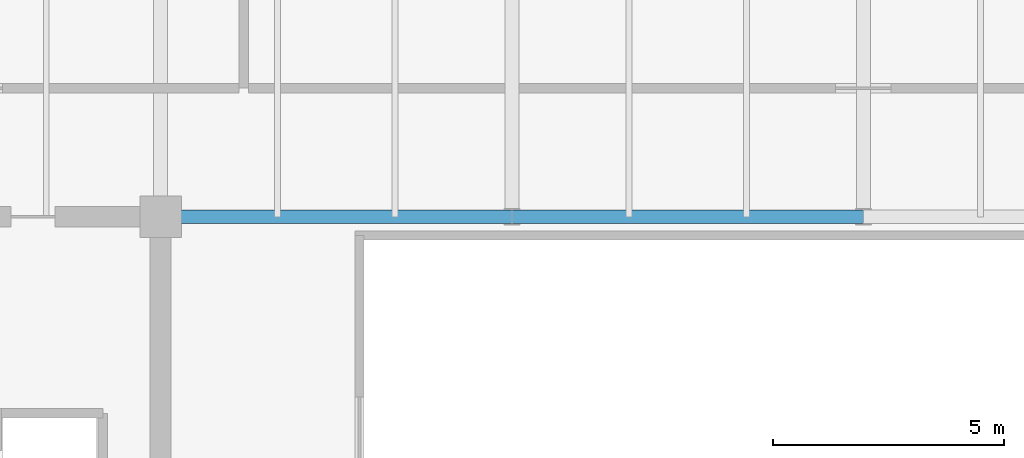
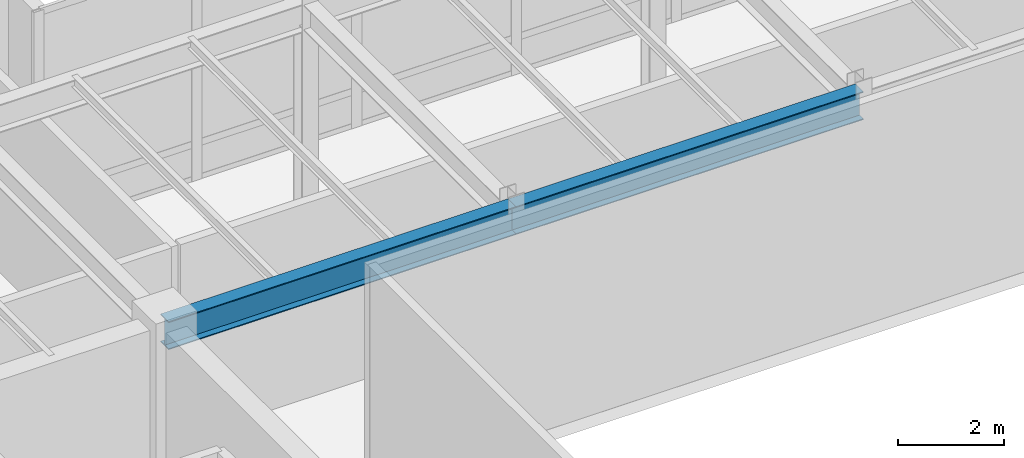
# One storey, part 12 of 30: 2 beams.
"""IFC4 building model written with IfcOpenShell, lengths in metres."""

import ifcopenshell
import ifcopenshell.guid

model = None  # the IFC model being written
_history = None  # IfcOwnerHistory: only IFC2X3 demands one
_inside = {}  # id of a spatial element -> (the spatial element, [elements in it])
_under = {}  # id of a project, library or spatial element -> (it, [spatial elements below it])
_declared = {}  # id of a project -> (the project, [libraries it declares])
_typed = {}  # id of a type object -> (the type object, [elements of that type])
_made_of = {}  # id of a material, layer set ... -> (it, [elements and type objects made of it])


def new_model(schema):
    """Start an empty IFC model of exactly this schema.

    Asked for "IFC4X3", IfcOpenShell would pick the latest addendum, in which some entities
    have other attributes; the version numbers below select the first issue.
    IFC2X3 requires an IfcOwnerHistory on every rooted entity: one is made here for all.
    """
    global model, _history
    if schema == "IFC4X3":
        model = ifcopenshell.file(schema_version=(4, 3, 0, 0))
    else:
        model = ifcopenshell.file(schema=schema)
    _inside.clear()
    _under.clear()
    _declared.clear()
    _typed.clear()
    _made_of.clear()
    _history = None
    if model.schema == "IFC2X3":
        org = make("IfcOrganization", Name="unknown")
        user = make(
            "IfcPersonAndOrganization",
            ThePerson=make("IfcPerson", FamilyName="unknown"),
            TheOrganization=org,
        )
        app = make(
            "IfcApplication",
            ApplicationDeveloper=org,
            Version="unknown",
            ApplicationFullName="unknown",
            ApplicationIdentifier="unknown",
        )
        _history = make(
            "IfcOwnerHistory",
            OwningUser=user,
            OwningApplication=app,
            ChangeAction="ADDED",
            CreationDate=0,
        )
    return model


def make(cls, **values):
    """One entity of the class cls with the attributes given. An attribute that is None is left unset."""
    return model.create_entity(
        cls, **{name: value for name, value in values.items() if value is not None}
    )


def rooted(cls, **values):
    """An entity with a GlobalId (a new one), such as an element, a storey or a relation."""
    return make(cls, GlobalId=ifcopenshell.guid.new(), OwnerHistory=_history, **values)


def si_unit(unit_type, name, prefix=None):
    """IfcSIUnit, for example si_unit("LENGTHUNIT", "METRE", prefix="MILLI")."""
    return make("IfcSIUnit", UnitType=unit_type, Prefix=prefix, Name=name)


def assignment(units):
    """IfcUnitAssignment: the units of a project."""
    return None if units is None else make("IfcUnitAssignment", Units=units)


def point(xyz):
    """IfcCartesianPoint."""
    return None if xyz is None else make("IfcCartesianPoint", Coordinates=xyz)


def direction(xyz):
    """IfcDirection."""
    return None if xyz is None else make("IfcDirection", DirectionRatios=xyz)


def frame(location, z_axis=None, x_axis=None):
    """IfcAxis2Placement3D, a coordinate frame: its origin and axes. An axis left out is left unset."""
    return make(
        "IfcAxis2Placement3D",
        Location=point(location),
        Axis=direction(z_axis),
        RefDirection=direction(x_axis),
    )


def frame_2d(location, x_axis=None):
    """IfcAxis2Placement2D, a coordinate frame in the plane: its origin and x axis."""
    return make(
        "IfcAxis2Placement2D", Location=point(location), RefDirection=direction(x_axis)
    )


def origin():
    """The frame at (0, 0, 0) with its axes left unset."""
    return frame((0.0, 0.0, 0.0))


def origin_2d():
    """The frame at (0, 0) in the plane with its x axis left unset."""
    return frame_2d((0.0, 0.0))


def place(relative_to, where):
    """IfcLocalPlacement: puts the frame where relative to a parent placement (None: the world)."""
    return make(
        "IfcLocalPlacement", PlacementRelTo=relative_to, RelativePlacement=where
    )


def context(
    kind, dimensions, precision=None, world=None, true_north=None, identifier=None
):
    """IfcGeometricRepresentationContext, for example the 3D "Model" context."""
    return make(
        "IfcGeometricRepresentationContext",
        ContextIdentifier=identifier,
        ContextType=kind,
        CoordinateSpaceDimension=dimensions,
        Precision=precision,
        WorldCoordinateSystem=world,
        TrueNorth=true_north,
    )


def subcontext(parent, identifier, kind, view, scale=None):
    """IfcGeometricRepresentationSubContext, for example "Body" below "Model"."""
    return make(
        "IfcGeometricRepresentationSubContext",
        ContextIdentifier=identifier,
        ContextType=kind,
        ParentContext=parent,
        TargetScale=scale,
        TargetView=view,
    )


def project(units=None, contexts=None):
    """IfcProject with its units and contexts."""
    return rooted(
        "IfcProject",
        Name="project",
        RepresentationContexts=contexts,
        UnitsInContext=assignment(units),
    )


def spatial(cls, under=None, at=None, **own):
    """A site, building, storey or space (cls), placed at a placement, below another one or the project."""
    s = rooted(cls, ObjectPlacement=at, **own)
    if under is not None:
        _under.setdefault(under.id(), (under, []))[1].append(s)
    return s


def profile(cls, at=None, kind="AREA", **sizes):
    """A parametric profile (cls). Its sizes go by their IFC names, for example OverallWidth=200.0."""
    return make(cls, ProfileType=kind, Position=at, **sizes)


def i_section(**sizes):
    """IfcIShapeProfileDef."""
    return profile("IfcIShapeProfileDef", **sizes)


def extrude(swept, where, along, depth):
    """IfcExtrudedAreaSolid: the profile swept, set in the frame where, extruded along a direction by depth."""
    return make(
        "IfcExtrudedAreaSolid",
        SweptArea=swept,
        Position=where,
        ExtrudedDirection=direction(along),
        Depth=depth,
    )


def shape(context_of_items, identifier, shape_type, items):
    """IfcShapeRepresentation: the items that make up one representation, for example the "Body"."""
    return make(
        "IfcShapeRepresentation",
        ContextOfItems=context_of_items,
        RepresentationIdentifier=identifier,
        RepresentationType=shape_type,
        Items=items,
    )


def source(mapping_origin, context_of_items, identifier, shape_type, items):
    """IfcRepresentationMap: a shape defined once, which mapped items show again and again."""
    return make(
        "IfcRepresentationMap",
        MappingOrigin=mapping_origin,
        MappedRepresentation=shape(context_of_items, identifier, shape_type, items),
    )


def transform(
    local_origin,
    x_axis=None,
    y_axis=None,
    z_axis=None,
    scale=None,
    scale2=None,
    scale3=None,
    uniform=True,
):
    """IfcCartesianTransformationOperator3D, or its non-uniform kind. x_axis, y_axis, z_axis: its Axis1, 2, 3."""
    if uniform:
        return make(
            "IfcCartesianTransformationOperator3D",
            Axis1=direction(x_axis),
            Axis2=direction(y_axis),
            LocalOrigin=point(local_origin),
            Scale=scale,
            Axis3=direction(z_axis),
        )
    return make(
        "IfcCartesianTransformationOperator3DnonUniform",
        Axis1=direction(x_axis),
        Axis2=direction(y_axis),
        LocalOrigin=point(local_origin),
        Scale=scale,
        Axis3=direction(z_axis),
        Scale2=scale2,
        Scale3=scale3,
    )


def mapped(mapping_source, mapping_target):
    """IfcMappedItem: shows the shape of a source again, moved by a transform."""
    return make(
        "IfcMappedItem", MappingSource=mapping_source, MappingTarget=mapping_target
    )


def material(Name=None, Category=None):
    """IfcMaterial."""
    return make("IfcMaterial", Name=Name, Category=Category)


def material_profile(
    of_material, cross_section, Name=None, Category=None, Priority=None
):
    """IfcMaterialProfile: a cross section and its material."""
    return make(
        "IfcMaterialProfile",
        Name=Name,
        Material=of_material,
        Profile=cross_section,
        Priority=Priority,
        Category=Category,
    )


def profile_set(profiles, Name=None, composite=None):
    """IfcMaterialProfileSet."""
    return make(
        "IfcMaterialProfileSet",
        Name=Name,
        MaterialProfiles=profiles,
        CompositeProfile=composite,
    )


def made_of(thing, what):
    """Note that an element or type object is made of a material, layer set ...; save() writes the relation."""
    if what is not None:
        _made_of.setdefault(what.id(), (what, []))[1].append(thing)
    return thing


def type_object(cls, material=None, **own):
    """A type object (cls), such as IfcWallType, which elements share."""
    return made_of(rooted(cls, **own), material)


def type_shapes(of_type, sources):
    """Give a type object the sources (RepresentationMaps) that its elements show as mapped items."""
    of_type.RepresentationMaps = sources


def element(
    cls,
    number,
    at=None,
    inside=None,
    cuts=None,
    type_object=None,
    material=None,
    context=None,
    identifier="Body",
    shape_type=None,
    held_by="IfcProductDefinitionShape",
    body=None,
    shapes=None,
    **own,
):
    """One element of the class cls, such as IfcWall. Its Tag is "e" and its number.

    at: its placement. inside: the storey or other place that contains it. cuts: it is an
    opening in that element (IfcRelVoidsElement). A single representation is given by context,
    identifier, shape_type and body (its items); several are given by shapes. held_by: the class
    of the entity that holds the representations. save() writes the other relations.
    """
    e = rooted(cls, Tag="e%d" % number, ObjectPlacement=at, **own)
    if body is not None:
        shapes = [shape(context, identifier, shape_type, body)]
    if shapes is not None:
        e.Representation = make(held_by, Representations=shapes)
    if inside is not None:
        _inside.setdefault(inside.id(), (inside, []))[1].append(e)
    if cuts is not None:
        rooted(
            "IfcRelVoidsElement", RelatingBuildingElement=cuts, RelatedOpeningElement=e
        )
    if type_object is not None:
        _typed.setdefault(type_object.id(), (type_object, []))[1].append(e)
    return made_of(e, material)


def aggregate(whole, parts):
    """IfcRelAggregates: a whole, such as a stair, and the parts it consists of."""
    return rooted("IfcRelAggregates", RelatingObject=whole, RelatedObjects=parts)


def save(model, path):
    """Write the relations noted so far, then the file.

    IfcRelAggregates (storeys below a building ...), IfcRelContainedInSpatialStructure (elements
    in a storey), IfcRelDefinesByType, IfcRelAssociatesMaterial and IfcRelDeclares: one each for
    every whole, place, type object, material and project.
    """
    for whole, parts in _under.values():
        aggregate(whole, parts)
    for where, things in _inside.values():
        rooted(
            "IfcRelContainedInSpatialStructure",
            RelatedElements=things,
            RelatingStructure=where,
        )
    for kind, things in _typed.values():
        rooted("IfcRelDefinesByType", RelatedObjects=things, RelatingType=kind)
    for what, things in _made_of.values():
        rooted("IfcRelAssociatesMaterial", RelatedObjects=things, RelatingMaterial=what)
    for by, libraries in _declared.values():
        rooted("IfcRelDeclares", RelatingContext=by, RelatedDefinitions=libraries)
    model.write(path)


model = new_model("IFC4")

# Units and contexts
model_context = context("Model", 3, precision=1e-05, world=origin(), true_north=direction((0.0, 1.0)))
body_context = subcontext(model_context, "Body", "Model", "MODEL_VIEW")
ifc_project = project(units=[si_unit("LENGTHUNIT", "METRE"), si_unit("AREAUNIT", "SQUARE_METRE"), si_unit("VOLUMEUNIT", "CUBIC_METRE"), si_unit("PLANEANGLEUNIT", "RADIAN"), si_unit("MASSUNIT", "GRAM", prefix="KILO")], contexts=[model_context])

# Site, building, storey
site_placement = place(None, origin())
site = spatial("IfcSite", under=ifc_project, at=site_placement, CompositionType="ELEMENT")
building_placement = place(site_placement, origin())
building = spatial("IfcBuilding", under=site, at=building_placement, Name="Haelvirn Gate Laboratories", CompositionType="ELEMENT")
storey_placement = place(building_placement, frame((0.0, 0.0, 327.0)))
storey = spatial("IfcBuildingStorey", under=building, at=storey_placement, Name="L78", CompositionType="ELEMENT", Elevation=327.0)

# Beams
ifc_material = material(Name="Steel SM355", Category="steel")
ifc_material_profile = material_profile(ifc_material, i_section(OverallWidth=0.300048828125, OverallDepth=0.64990234375, WebThickness=0.012939453125, FlangeThickness=0.02197265625, at=origin_2d()), Name="H-650x300x13x22")
ifc_profile_set = profile_set([ifc_material_profile], Name="Steel SM355")
beam_type = type_object("IfcBeamType", Name="BM-G-650", PredefinedType="BEAM", material=ifc_profile_set)
shared_shape_1 = source(origin(), body_context, "Body", "SweptSolid", [
    extrude(i_section(OverallWidth=0.300048828125, OverallDepth=0.64990234375, WebThickness=0.012939453125, FlangeThickness=0.02197265625, at=origin_2d()), origin(), (0.0, 0.0, 1.0), 7.60009765625),
])
beam_1_placement = place(storey_placement, frame((22.199951171875, 33.800048828125, 4.794921875), z_axis=(1.0, 0.0, 0.0), x_axis=(0.0, 1.0, 0.0)))
element("IfcBeam", 1, at=beam_1_placement, inside=storey, type_object=beam_type, Name="L78 Primary Girder Y33.8 (22.2-29.8)", PredefinedType="BEAM", context=body_context, shape_type="MappedRepresentation", body=[
    mapped(shared_shape_1, transform((0.0, 0.0, 0.0), scale=1.0)),
])
shared_shape_2 = source(origin(), body_context, "Body", "SweptSolid", [
    extrude(i_section(OverallWidth=0.300048828125, OverallDepth=0.64990234375, WebThickness=0.012939453125, FlangeThickness=0.02197265625, at=origin_2d()), origin(), (0.0, 0.0, 1.0), 7.599853515625),
])
type_shapes(beam_type, [shared_shape_1, shared_shape_2])
beam_2_placement = place(storey_placement, frame((29.800048828125, 33.800048828125, 4.794921875), z_axis=(1.0, 0.0, 0.0), x_axis=(0.0, 1.0, 0.0)))
element("IfcBeam", 2, at=beam_2_placement, inside=storey, type_object=beam_type, Name="L78 Primary Girder Y33.8 (29.8-37.4)", PredefinedType="BEAM", context=body_context, shape_type="MappedRepresentation", body=[
    mapped(shared_shape_2, transform((0.0, 0.0, 0.0), scale=1.0)),
])

save(model, "model.ifc")
